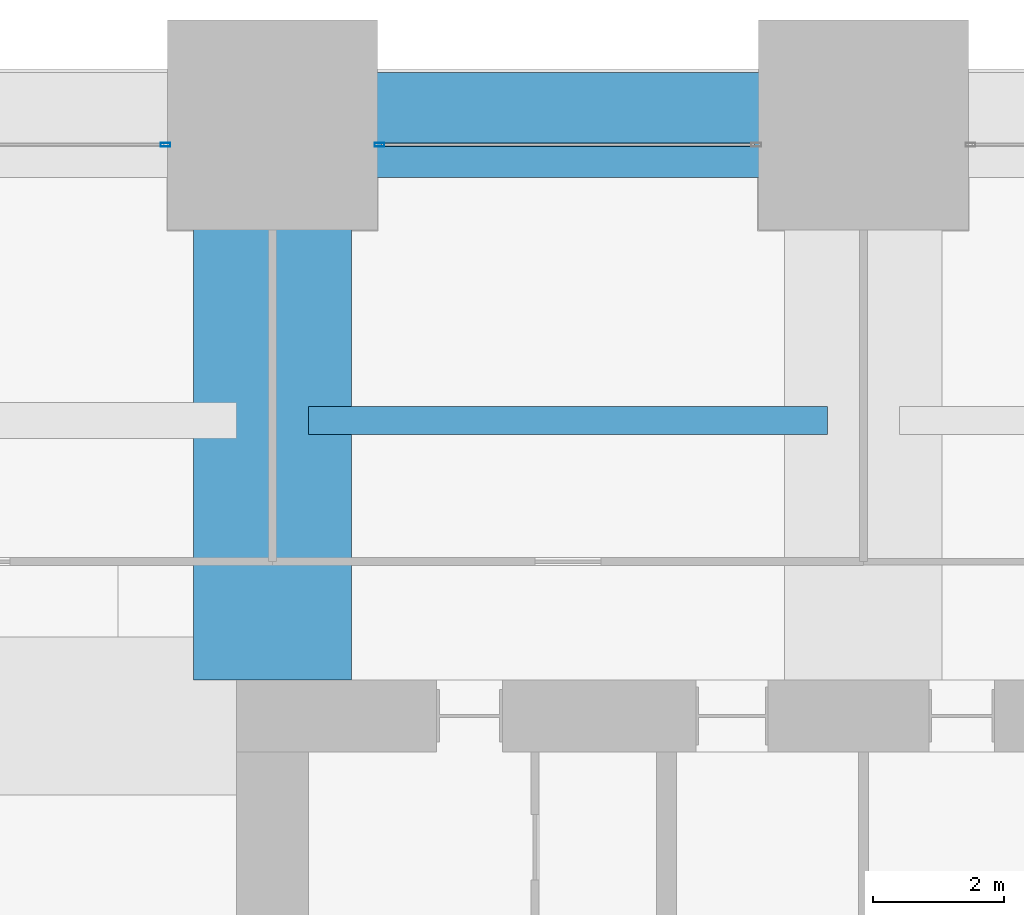
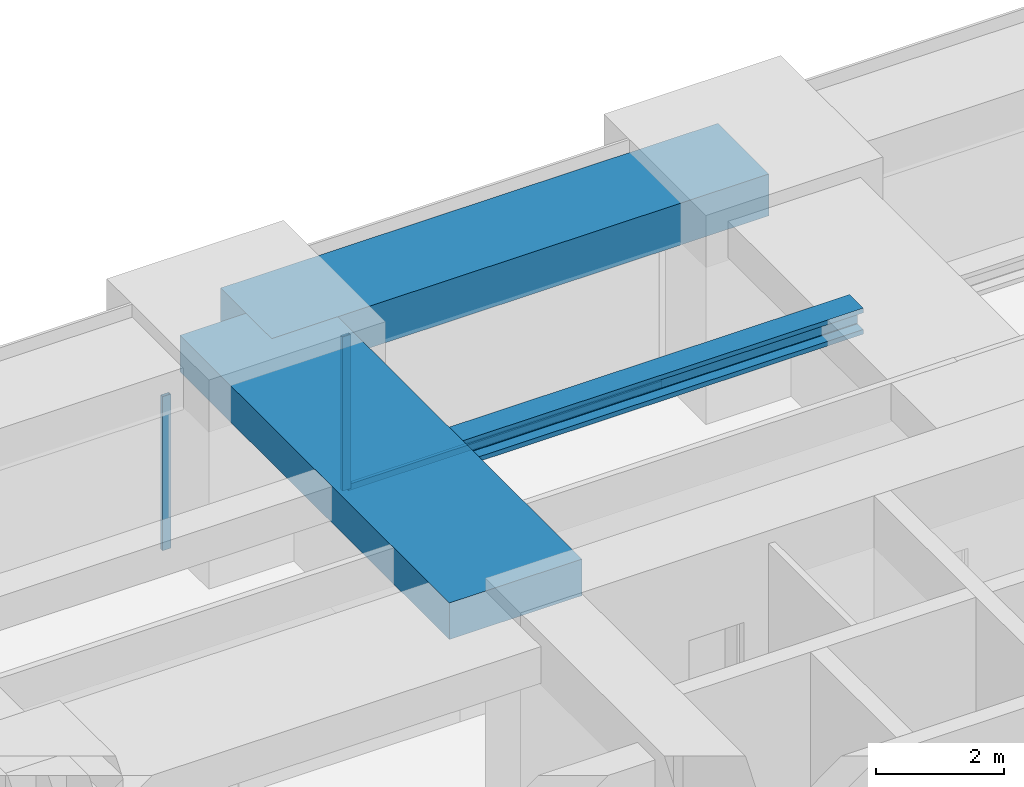
# One storey, part 24 of 35: 3 beams, 3 members, 2 elements without a shape of their own.
"""IFC4 building model written with IfcOpenShell, lengths in metres."""

import ifcopenshell
import ifcopenshell.guid

model = None  # the IFC model being written
_history = None  # IfcOwnerHistory: only IFC2X3 demands one
_inside = {}  # id of a spatial element -> (the spatial element, [elements in it])
_under = {}  # id of a project, library or spatial element -> (it, [spatial elements below it])
_declared = {}  # id of a project -> (the project, [libraries it declares])
_typed = {}  # id of a type object -> (the type object, [elements of that type])
_made_of = {}  # id of a material, layer set ... -> (it, [elements and type objects made of it])


def new_model(schema):
    """Start an empty IFC model of exactly this schema.

    Asked for "IFC4X3", IfcOpenShell would pick the latest addendum, in which some entities
    have other attributes; the version numbers below select the first issue.
    IFC2X3 requires an IfcOwnerHistory on every rooted entity: one is made here for all.
    """
    global model, _history
    if schema == "IFC4X3":
        model = ifcopenshell.file(schema_version=(4, 3, 0, 0))
    else:
        model = ifcopenshell.file(schema=schema)
    _inside.clear()
    _under.clear()
    _declared.clear()
    _typed.clear()
    _made_of.clear()
    _history = None
    if model.schema == "IFC2X3":
        org = make("IfcOrganization", Name="unknown")
        user = make(
            "IfcPersonAndOrganization",
            ThePerson=make("IfcPerson", FamilyName="unknown"),
            TheOrganization=org,
        )
        app = make(
            "IfcApplication",
            ApplicationDeveloper=org,
            Version="unknown",
            ApplicationFullName="unknown",
            ApplicationIdentifier="unknown",
        )
        _history = make(
            "IfcOwnerHistory",
            OwningUser=user,
            OwningApplication=app,
            ChangeAction="ADDED",
            CreationDate=0,
        )
    return model


def make(cls, **values):
    """One entity of the class cls with the attributes given. An attribute that is None is left unset."""
    return model.create_entity(
        cls, **{name: value for name, value in values.items() if value is not None}
    )


def rooted(cls, **values):
    """An entity with a GlobalId (a new one), such as an element, a storey or a relation."""
    return make(cls, GlobalId=ifcopenshell.guid.new(), OwnerHistory=_history, **values)


def si_unit(unit_type, name, prefix=None):
    """IfcSIUnit, for example si_unit("LENGTHUNIT", "METRE", prefix="MILLI")."""
    return make("IfcSIUnit", UnitType=unit_type, Prefix=prefix, Name=name)


def assignment(units):
    """IfcUnitAssignment: the units of a project."""
    return None if units is None else make("IfcUnitAssignment", Units=units)


def point(xyz):
    """IfcCartesianPoint."""
    return None if xyz is None else make("IfcCartesianPoint", Coordinates=xyz)


def direction(xyz):
    """IfcDirection."""
    return None if xyz is None else make("IfcDirection", DirectionRatios=xyz)


def frame(location, z_axis=None, x_axis=None):
    """IfcAxis2Placement3D, a coordinate frame: its origin and axes. An axis left out is left unset."""
    return make(
        "IfcAxis2Placement3D",
        Location=point(location),
        Axis=direction(z_axis),
        RefDirection=direction(x_axis),
    )


def frame_2d(location, x_axis=None):
    """IfcAxis2Placement2D, a coordinate frame in the plane: its origin and x axis."""
    return make(
        "IfcAxis2Placement2D", Location=point(location), RefDirection=direction(x_axis)
    )


def origin():
    """The frame at (0, 0, 0) with its axes left unset."""
    return frame((0.0, 0.0, 0.0))


def origin_2d():
    """The frame at (0, 0) in the plane with its x axis left unset."""
    return frame_2d((0.0, 0.0))


def place(relative_to, where):
    """IfcLocalPlacement: puts the frame where relative to a parent placement (None: the world)."""
    return make(
        "IfcLocalPlacement", PlacementRelTo=relative_to, RelativePlacement=where
    )


def context(
    kind, dimensions, precision=None, world=None, true_north=None, identifier=None
):
    """IfcGeometricRepresentationContext, for example the 3D "Model" context."""
    return make(
        "IfcGeometricRepresentationContext",
        ContextIdentifier=identifier,
        ContextType=kind,
        CoordinateSpaceDimension=dimensions,
        Precision=precision,
        WorldCoordinateSystem=world,
        TrueNorth=true_north,
    )


def subcontext(parent, identifier, kind, view, scale=None):
    """IfcGeometricRepresentationSubContext, for example "Body" below "Model"."""
    return make(
        "IfcGeometricRepresentationSubContext",
        ContextIdentifier=identifier,
        ContextType=kind,
        ParentContext=parent,
        TargetScale=scale,
        TargetView=view,
    )


def project(units=None, contexts=None):
    """IfcProject with its units and contexts."""
    return rooted(
        "IfcProject",
        Name="project",
        RepresentationContexts=contexts,
        UnitsInContext=assignment(units),
    )


def spatial(cls, under=None, at=None, **own):
    """A site, building, storey or space (cls), placed at a placement, below another one or the project."""
    s = rooted(cls, ObjectPlacement=at, **own)
    if under is not None:
        _under.setdefault(under.id(), (under, []))[1].append(s)
    return s


def profile(cls, at=None, kind="AREA", **sizes):
    """A parametric profile (cls). Its sizes go by their IFC names, for example OverallWidth=200.0."""
    return make(cls, ProfileType=kind, Position=at, **sizes)


def rectangle(**sizes):
    """IfcRectangleProfileDef."""
    return profile("IfcRectangleProfileDef", **sizes)


def hollow_rectangle(**sizes):
    """IfcRectangleHollowProfileDef."""
    return profile("IfcRectangleHollowProfileDef", **sizes)


def i_section(**sizes):
    """IfcIShapeProfileDef."""
    return profile("IfcIShapeProfileDef", **sizes)


def extrude(swept, where, along, depth):
    """IfcExtrudedAreaSolid: the profile swept, set in the frame where, extruded along a direction by depth."""
    return make(
        "IfcExtrudedAreaSolid",
        SweptArea=swept,
        Position=where,
        ExtrudedDirection=direction(along),
        Depth=depth,
    )


def shape(context_of_items, identifier, shape_type, items):
    """IfcShapeRepresentation: the items that make up one representation, for example the "Body"."""
    return make(
        "IfcShapeRepresentation",
        ContextOfItems=context_of_items,
        RepresentationIdentifier=identifier,
        RepresentationType=shape_type,
        Items=items,
    )


def material(Name=None, Category=None):
    """IfcMaterial."""
    return make("IfcMaterial", Name=Name, Category=Category)


def material_profile(
    of_material, cross_section, Name=None, Category=None, Priority=None
):
    """IfcMaterialProfile: a cross section and its material."""
    return make(
        "IfcMaterialProfile",
        Name=Name,
        Material=of_material,
        Profile=cross_section,
        Priority=Priority,
        Category=Category,
    )


def profile_set(profiles, Name=None, composite=None):
    """IfcMaterialProfileSet."""
    return make(
        "IfcMaterialProfileSet",
        Name=Name,
        MaterialProfiles=profiles,
        CompositeProfile=composite,
    )


def made_of(thing, what):
    """Note that an element or type object is made of a material, layer set ...; save() writes the relation."""
    if what is not None:
        _made_of.setdefault(what.id(), (what, []))[1].append(thing)
    return thing


def type_object(cls, material=None, **own):
    """A type object (cls), such as IfcWallType, which elements share."""
    return made_of(rooted(cls, **own), material)


def element(
    cls,
    number,
    at=None,
    inside=None,
    cuts=None,
    type_object=None,
    material=None,
    context=None,
    identifier="Body",
    shape_type=None,
    held_by="IfcProductDefinitionShape",
    body=None,
    shapes=None,
    **own,
):
    """One element of the class cls, such as IfcWall. Its Tag is "e" and its number.

    at: its placement. inside: the storey or other place that contains it. cuts: it is an
    opening in that element (IfcRelVoidsElement). A single representation is given by context,
    identifier, shape_type and body (its items); several are given by shapes. held_by: the class
    of the entity that holds the representations. save() writes the other relations.
    """
    e = rooted(cls, Tag="e%d" % number, ObjectPlacement=at, **own)
    if body is not None:
        shapes = [shape(context, identifier, shape_type, body)]
    if shapes is not None:
        e.Representation = make(held_by, Representations=shapes)
    if inside is not None:
        _inside.setdefault(inside.id(), (inside, []))[1].append(e)
    if cuts is not None:
        rooted(
            "IfcRelVoidsElement", RelatingBuildingElement=cuts, RelatedOpeningElement=e
        )
    if type_object is not None:
        _typed.setdefault(type_object.id(), (type_object, []))[1].append(e)
    return made_of(e, material)


def aggregate(whole, parts):
    """IfcRelAggregates: a whole, such as a stair, and the parts it consists of."""
    return rooted("IfcRelAggregates", RelatingObject=whole, RelatedObjects=parts)


def save(model, path):
    """Write the relations noted so far, then the file.

    IfcRelAggregates (storeys below a building ...), IfcRelContainedInSpatialStructure (elements
    in a storey), IfcRelDefinesByType, IfcRelAssociatesMaterial and IfcRelDeclares: one each for
    every whole, place, type object, material and project.
    """
    for whole, parts in _under.values():
        aggregate(whole, parts)
    for where, things in _inside.values():
        rooted(
            "IfcRelContainedInSpatialStructure",
            RelatedElements=things,
            RelatingStructure=where,
        )
    for kind, things in _typed.values():
        rooted("IfcRelDefinesByType", RelatedObjects=things, RelatingType=kind)
    for what, things in _made_of.values():
        rooted("IfcRelAssociatesMaterial", RelatedObjects=things, RelatingMaterial=what)
    for by, libraries in _declared.values():
        rooted("IfcRelDeclares", RelatingContext=by, RelatedDefinitions=libraries)
    model.write(path)


model = new_model("IFC4")

# Units and contexts
model_context = context("Model", 3, precision=1e-05, world=origin(), true_north=direction((0.0, 1.0)))
body_context = subcontext(model_context, "Body", "Model", "MODEL_VIEW")
ifc_project = project(units=[si_unit("LENGTHUNIT", "METRE"), si_unit("AREAUNIT", "SQUARE_METRE"), si_unit("VOLUMEUNIT", "CUBIC_METRE"), si_unit("PLANEANGLEUNIT", "RADIAN"), si_unit("MASSUNIT", "GRAM", prefix="KILO")], contexts=[model_context])

# Site, building, storey
site_placement = place(None, origin())
site = spatial("IfcSite", under=ifc_project, at=site_placement, CompositionType="ELEMENT")
building_placement = place(site_placement, origin())
building = spatial("IfcBuilding", under=site, at=building_placement, Name="Zorevar Civic Tower", CompositionType="ELEMENT")
storey_placement = place(building_placement, frame((0.0, 0.0, 162.199951171875)))
storey = spatial("IfcBuildingStorey", under=building, at=storey_placement, Name="L39", CompositionType="ELEMENT", Elevation=162.199951171875)

# Beam
ifc_material_1 = material(Name="Concrete C50/60", Category="concrete")
ifc_material_profile_1 = material_profile(ifc_material_1, rectangle(XDim=2.39990234375, YDim=0.699951171875, at=origin_2d()), Name="RC 2400x700")
ifc_profile_set_1 = profile_set([ifc_material_profile_1], Name="Concrete C50/60")
beam_type_1 = type_object("IfcBeamType", Name="Beam RC 2400x700", PredefinedType="BEAM", material=ifc_profile_set_1)
beam_1_placement = place(storey_placement, frame((18.0, 36.550048828125, 3.400146484375), z_axis=(0.0, 1.0, 0.0), x_axis=(-1.0, 0.0, 0.0)))
element("IfcBeam", 1, at=beam_1_placement, inside=storey, type_object=beam_type_1, Name="Girder L40", PredefinedType="BEAM", context=body_context, shape_type="SweptSolid", body=[
    extrude(rectangle(XDim=2.39990234375, YDim=0.699951171875, at=origin_2d()), origin(), (0.0, 0.0, 1.0), 8.449951171875),
])

# Curtain wall, member
ifc_material_2 = material(Name="Dark grey solar-control glass in black aluminium frame", Category="aluminium")
curtain_wall_type = type_object("IfcCurtainWallType", Name="Curtain wall CW4 high zone", PredefinedType="NOTDEFINED", material=ifc_material_2)
curtain_wall_1_placement = place(storey_placement, origin())
curtain_wall_1 = element("IfcCurtainWall", 2, at=curtain_wall_1_placement, inside=storey, type_object=curtain_wall_type, Name="CW4 L39", PredefinedType="NOTDEFINED")
ifc_material_3 = material(Name="Aluminium, black anodised", Category="aluminium")
ifc_material_profile_2 = material_profile(ifc_material_3, hollow_rectangle(XDim=0.06005859375, YDim=0.14990234375, WallThickness=0.00390625, at=origin_2d()), Name="AL 150x60x4")
ifc_profile_set_2 = profile_set([ifc_material_profile_2], Name="Aluminium, black anodised")
member_type_1 = type_object("IfcMemberType", Name="CW4 mullion AL 150x60x4", PredefinedType="MULLION", material=ifc_profile_set_2)
member_1_placement = place(storey_placement, frame((16.3701171875, 44.699951171875, 0.0), z_axis=(0.0, 0.0, 1.0), x_axis=(0.0, 1.0, 0.0)))
member_1 = element("IfcMember", 3, at=member_1_placement, type_object=member_type_1, Name="CW4 mullion 3", PredefinedType="MULLION", context=body_context, shape_type="SweptSolid", body=[
    extrude(hollow_rectangle(XDim=0.06005859375, YDim=0.14990234375, WallThickness=0.00390625, at=origin_2d()), origin(), (0.0, 0.0, 1.0), 2.949951171875),
])
aggregate(curtain_wall_1, [member_1])

# Curtain wall, members
curtain_wall_2_placement = place(storey_placement, origin())
curtain_wall_2 = element("IfcCurtainWall", 4, at=curtain_wall_2_placement, inside=storey, type_object=curtain_wall_type, Name="CW4 L39", PredefinedType="NOTDEFINED")
member_2_placement = place(storey_placement, frame((19.6298828125, 44.699951171875, 0.0), z_axis=(0.0, 0.0, 1.0), x_axis=(0.0, 1.0, 0.0)))
member_2 = element("IfcMember", 5, at=member_2_placement, type_object=member_type_1, Name="CW4 mullion 1", PredefinedType="MULLION", context=body_context, shape_type="SweptSolid", body=[
    extrude(hollow_rectangle(XDim=0.06005859375, YDim=0.14990234375, WallThickness=0.00390625, at=origin_2d()), origin(), (0.0, 0.0, 1.0), 2.949951171875),
])
ifc_material_4 = material(Name="Aluminium, black anodised", Category="aluminium")
ifc_material_profile_3 = material_profile(ifc_material_4, hollow_rectangle(XDim=0.06005859375, YDim=0.1201171875, WallThickness=0.0029296875, at=origin_2d()), Name="AL 120x60x3")
ifc_profile_set_3 = profile_set([ifc_material_profile_3], Name="Aluminium, black anodised")
member_type_2 = type_object("IfcMemberType", Name="CW4 transom AL 120x60x3", PredefinedType="USERDEFINED", material=ifc_profile_set_3)
member_3_placement = place(storey_placement, frame((19.659912109375, 44.699951171875, 0.030029296875), z_axis=(1.0, 0.0, 0.0), x_axis=(0.0, 1.0, 0.0)))
member_3 = element("IfcMember", 6, at=member_3_placement, type_object=member_type_2, Name="CW4 sill transom", ObjectType="TRANSOM", PredefinedType="USERDEFINED", context=body_context, shape_type="SweptSolid", body=[
    extrude(hollow_rectangle(XDim=0.06005859375, YDim=0.1201171875, WallThickness=0.0029296875, at=origin_2d()), origin(), (0.0, 0.0, 1.0), 5.68017578125),
])
aggregate(curtain_wall_2, [member_2, member_3])

# Beams
ifc_material_5 = material(Name="Steel S460M (HISTAR 460)", Category="steel")
ifc_material_profile_4 = material_profile(ifc_material_5, i_section(OverallWidth=0.431884765625, OverallDepth=0.498046875, WebThickness=0.0556640625, FlangeThickness=0.0888671875, FilletRadius=0.014892578125, at=origin_2d()), Name="HD 400x744")
ifc_profile_set_4 = profile_set([ifc_material_profile_4], Name="Steel S460M (HISTAR 460)")
beam_type_2 = type_object("IfcBeamType", Name="Core bay beam HD 400x744", PredefinedType="BEAM", material=ifc_profile_set_4)
beam_2_placement = place(storey_placement, frame((18.550048828125, 40.5, 3.5009765625), z_axis=(1.0, 0.0, 0.0), x_axis=(0.0, 1.0, 0.0)))
element("IfcBeam", 7, at=beam_2_placement, inside=storey, type_object=beam_type_2, Name="Secondary beam L40", PredefinedType="BEAM", context=body_context, shape_type="SweptSolid", body=[
    extrude(i_section(OverallWidth=0.431884765625, OverallDepth=0.498046875, WebThickness=0.0556640625, FlangeThickness=0.0888671875, FilletRadius=0.014892578125, at=origin_2d()), origin(), (0.0, 0.0, 1.0), 7.89990234375),
])
ifc_material_6 = material(Name="Concrete C50/60", Category="concrete")
ifc_material_profile_5 = material_profile(ifc_material_6, rectangle(XDim=1.60009765625, YDim=0.800048828125, at=origin_2d()), Name="RC 1600x800")
ifc_profile_set_5 = profile_set([ifc_material_profile_5], Name="Concrete C50/60")
beam_type_3 = type_object("IfcBeamType", Name="Edge beam RC 1600x800", PredefinedType="SPANDREL", material=ifc_profile_set_5)
beam_3_placement = place(storey_placement, frame((18.0, 45.0, 3.35009765625), z_axis=(1.0, 0.0, 0.0), x_axis=(0.0, 1.0, 0.0)))
element("IfcBeam", 8, at=beam_3_placement, inside=storey, type_object=beam_type_3, Name="Edge beam L40", PredefinedType="SPANDREL", context=body_context, shape_type="SweptSolid", body=[
    extrude(rectangle(XDim=1.60009765625, YDim=0.800048828125, at=origin_2d()), origin(), (0.0, 0.0, 1.0), 9.0),
])

save(model, "model.ifc")
